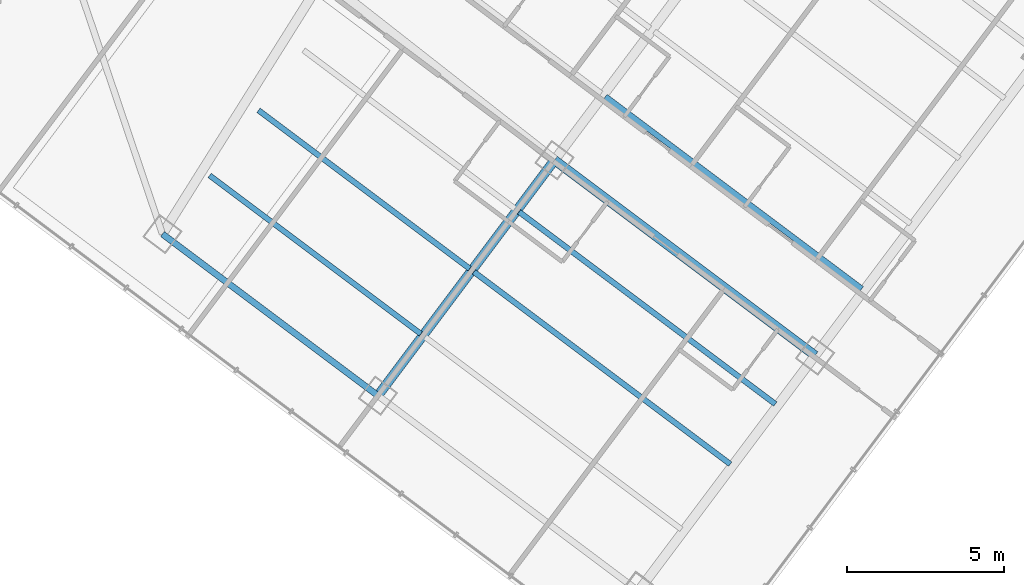
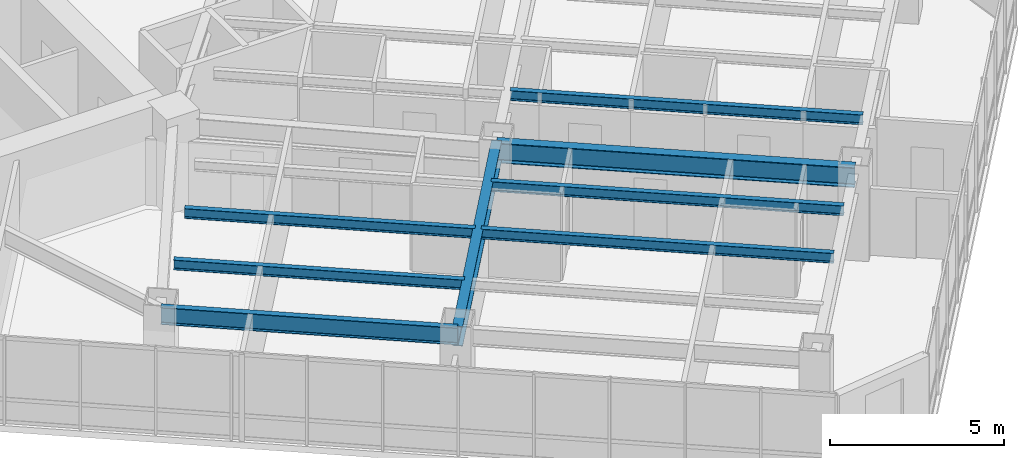
# One storey, part 13 of 36: 8 beams.
"""IFC4 building model written with IfcOpenShell, lengths in metres."""

from ifc_helpers import new_model, si_unit, direction, frame, origin, origin_2d, place, context, subcontext, project, spatial, i_section, extrude, material, material_profile, profile_set, type_object, element, save


model = new_model("IFC4")

# Units and contexts
model_context = context("Model", 3, precision=1e-05, world=origin(), true_north=direction((0.0, 1.0)))
body_context = subcontext(model_context, "Body", "Model", "MODEL_VIEW")
ifc_project = project(units=[si_unit("LENGTHUNIT", "METRE"), si_unit("AREAUNIT", "SQUARE_METRE"), si_unit("VOLUMEUNIT", "CUBIC_METRE"), si_unit("PLANEANGLEUNIT", "RADIAN"), si_unit("MASSUNIT", "GRAM", prefix="KILO")], contexts=[model_context])

# Site, building, storey
site_placement = place(None, origin())
site = spatial("IfcSite", under=ifc_project, at=site_placement, CompositionType="ELEMENT")
building_placement = place(site_placement, origin())
building = spatial("IfcBuilding", under=site, at=building_placement, Name="Hatsunagi Terrace Concourse", CompositionType="ELEMENT")
storey_placement = place(building_placement, frame((0.0, 0.0, 88.0)))
storey = spatial("IfcBuildingStorey", under=building, at=storey_placement, Name="L23", CompositionType="ELEMENT", Elevation=88.0)

# Beams
ifc_material_1 = material(Name="Steel SN490B", Category="steel")
ifc_material_profile_1 = material_profile(ifc_material_1, i_section(OverallWidth=0.300048828125, OverallDepth=0.699951171875, WebThickness=0.012939453125, FlangeThickness=0.02392578125, FilletRadius=0.02197265625, at=origin_2d()), Name="H-700x300x13x24")
ifc_profile_set_1 = profile_set([ifc_material_profile_1], Name="Steel SN490B")
beam_type_1 = type_object("IfcBeamType", Name="HotelFloorGirder_H_700x300", PredefinedType="BEAM", material=ifc_profile_set_1)
beam_1_placement = place(storey_placement, frame((45.56005859375, 10.8798828125, 2.699951171875), z_axis=(0.599991688754, 0.800006233367, 0.0), x_axis=(-0.800006233367, 0.599991688754, 0.0)))
element("IfcBeam", 1, at=beam_1_placement, inside=storey, type_object=beam_type_1, Name="Beam G-04 BM-L23-SET-2A", PredefinedType="BEAM", context=body_context, shape_type="SweptSolid", body=[
    extrude(i_section(OverallWidth=0.300048828125, OverallDepth=0.699951171875, WebThickness=0.012939453125, FlangeThickness=0.02392578125, FilletRadius=0.02197265625, at=origin_2d()), origin(), (0.0, 0.0, 1.0), 9.39990234375),
])
beam_2_placement = place(storey_placement, frame((51.199951171875, 18.39990234375, 2.699951171875), z_axis=(0.800002816985, -0.599996244001, 0.0), x_axis=(0.599996244001, 0.800002816985, 0.0)))
element("IfcBeam", 2, at=beam_2_placement, inside=storey, type_object=beam_type_1, Name="Beam G-04 BM-L23-SE-M3", PredefinedType="BEAM", context=body_context, shape_type="SweptSolid", body=[
    extrude(i_section(OverallWidth=0.300048828125, OverallDepth=0.699951171875, WebThickness=0.012939453125, FlangeThickness=0.02392578125, FilletRadius=0.02197265625, at=origin_2d()), origin(), (0.0, 0.0, 1.0), 10.400146484375),
])
ifc_material_2 = material(Name="Steel SN490B", Category="steel")
ifc_material_profile_2 = material_profile(ifc_material_2, i_section(OverallWidth=0.175048828125, OverallDepth=0.35009765625, WebThickness=0.007080078125, FlangeThickness=0.010986328125, FilletRadius=0.012939453125, at=origin_2d()), Name="H-350x175x7x11")
ifc_profile_set_2 = profile_set([ifc_material_profile_2], Name="Steel SN490B")
beam_type_2 = type_object("IfcBeamType", Name="HotelJoist_H_350x175", PredefinedType="JOIST", material=ifc_profile_set_2)
for number, where, z_axis, x_axis, name in (
    (3, (40.18798828125, 17.908935546875, 2.875), (0.800003475366, -0.59999536615, 0.0), (0.59999536615, 0.800003475366, 0.0), "Beam J-02 J-L23-SE-2-46"),
    (4, (41.748046875, 19.989013671875, 2.875), (0.799989573921, -0.600013901187, 0.0), (0.600013901187, 0.799989573921, 0.0), "Beam J-02 J-L23-SE-2-72"),
):
    element("IfcBeam", number, at=place(storey_placement, frame(where, z_axis=z_axis, x_axis=x_axis)), inside=storey, type_object=beam_type_2, Name=name, PredefinedType="JOIST", context=body_context, shape_type="SweptSolid", body=[
        extrude(i_section(OverallWidth=0.175048828125, OverallDepth=0.35009765625, WebThickness=0.007080078125, FlangeThickness=0.010986328125, FilletRadius=0.012939453125, at=origin_2d()), origin(), (0.0, 0.0, 1.0), 8.429931640625),
    ])
beam_3_placement = place(storey_placement, frame((48.6279296875, 14.8291015625, 2.875), z_axis=(0.799994272423, -0.600007636694, 0.0), x_axis=(0.600007636694, 0.799994272423, 0.0)))
element("IfcBeam", 5, at=beam_3_placement, inside=storey, type_object=beam_type_2, Name="Beam J-02 J-L23-SE-3-72", PredefinedType="JOIST", context=body_context, shape_type="SweptSolid", body=[
    extrude(i_section(OverallWidth=0.175048828125, OverallDepth=0.35009765625, WebThickness=0.007080078125, FlangeThickness=0.010986328125, FilletRadius=0.012939453125, at=origin_2d()), origin(), (0.0, 0.0, 1.0), 10.230224609375),
])
beam_4_placement = place(storey_placement, frame((50.068115234375, 16.7490234375, 2.875), z_axis=(0.799997136125, -0.600003818481, 0.0), x_axis=(0.600003818481, 0.799997136125, 0.0)))
element("IfcBeam", 6, at=beam_4_placement, inside=storey, type_object=beam_type_2, Name="Beam J-02 J-L23-SE-3-96", PredefinedType="JOIST", context=body_context, shape_type="SweptSolid", body=[
    extrude(i_section(OverallWidth=0.175048828125, OverallDepth=0.35009765625, WebThickness=0.007080078125, FlangeThickness=0.010986328125, FilletRadius=0.012939453125, at=origin_2d()), origin(), (0.0, 0.0, 1.0), 10.229736328125),
])
beam_5_placement = place(storey_placement, frame((52.827880859375, 20.428955078125, 2.875), z_axis=(0.800005727586, -0.599992363142, 0.0), x_axis=(0.599992363142, 0.800005727586, 0.0)))
element("IfcBeam", 7, at=beam_5_placement, inside=storey, type_object=beam_type_2, Name="Beam J-02 J-L23-SE-3-142", PredefinedType="JOIST", context=body_context, shape_type="SweptSolid", body=[
    extrude(i_section(OverallWidth=0.175048828125, OverallDepth=0.35009765625, WebThickness=0.007080078125, FlangeThickness=0.010986328125, FilletRadius=0.012939453125, at=origin_2d()), origin(), (0.0, 0.0, 1.0), 10.22998046875),
])
ifc_material_3 = material(Name="Steel SN490B", Category="steel")
ifc_material_profile_3 = material_profile(ifc_material_3, i_section(OverallWidth=0.199951171875, OverallDepth=0.60009765625, WebThickness=0.010986328125, FlangeThickness=0.01708984375, FilletRadius=0.01806640625, at=origin_2d()), Name="H-600x200x11x17")
ifc_profile_set_3 = profile_set([ifc_material_profile_3], Name="Steel SN490B")
beam_type_3 = type_object("IfcBeamType", Name="PerimeterSpandrel_H_600x200", PredefinedType="SPANDREL", material=ifc_profile_set_3)
beam_6_placement = place(storey_placement, frame((38.679931640625, 16.0400390625, 2.75), z_axis=(0.799996593451, -0.600004542038, 0.0), x_axis=(0.600004542038, 0.799996593451, 0.0)))
element("IfcBeam", 8, at=beam_6_placement, inside=storey, type_object=beam_type_3, Name="Beam SP-01 BM-L23-SE-SW2", PredefinedType="SPANDREL", context=body_context, shape_type="SweptSolid", body=[
    extrude(i_section(OverallWidth=0.199951171875, OverallDepth=0.60009765625, WebThickness=0.010986328125, FlangeThickness=0.01708984375, FilletRadius=0.01806640625, at=origin_2d()), origin(), (0.0, 0.0, 1.0), 8.60009765625),
])

save(model, "model.ifc")
